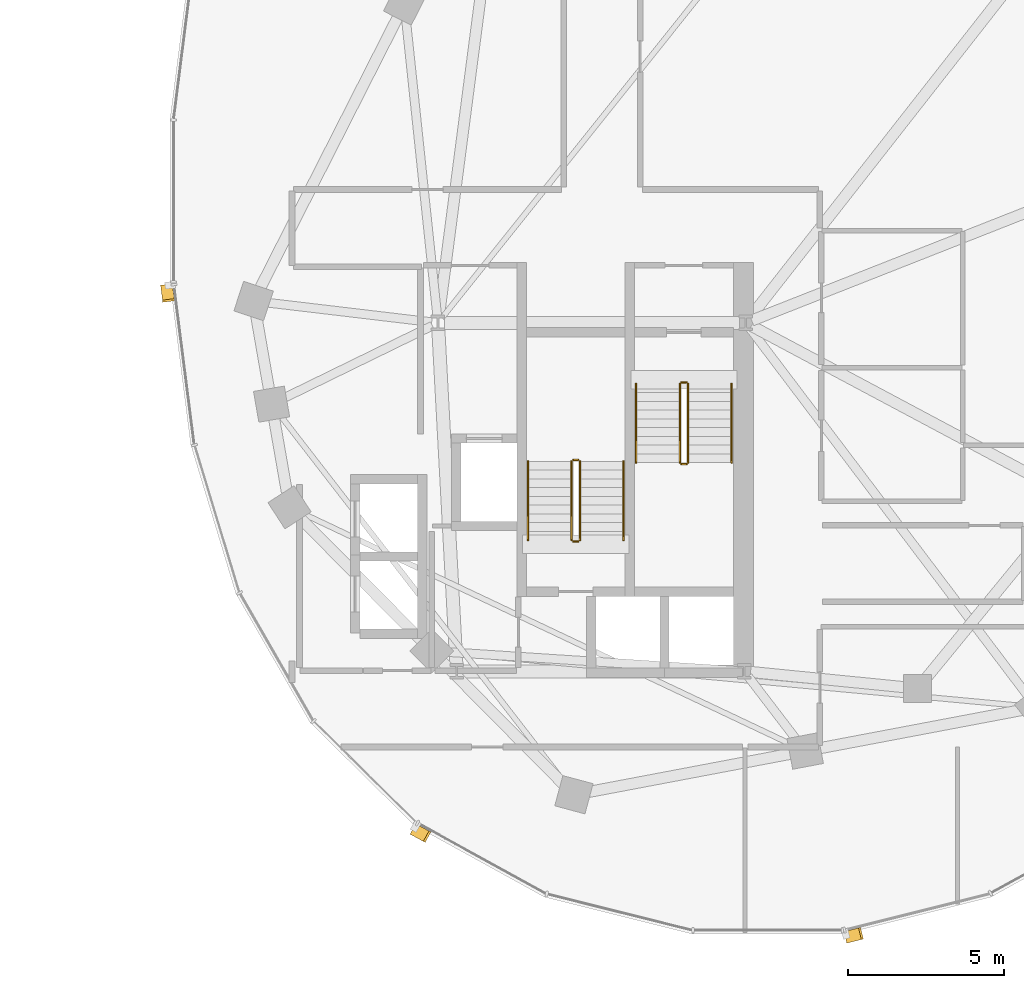
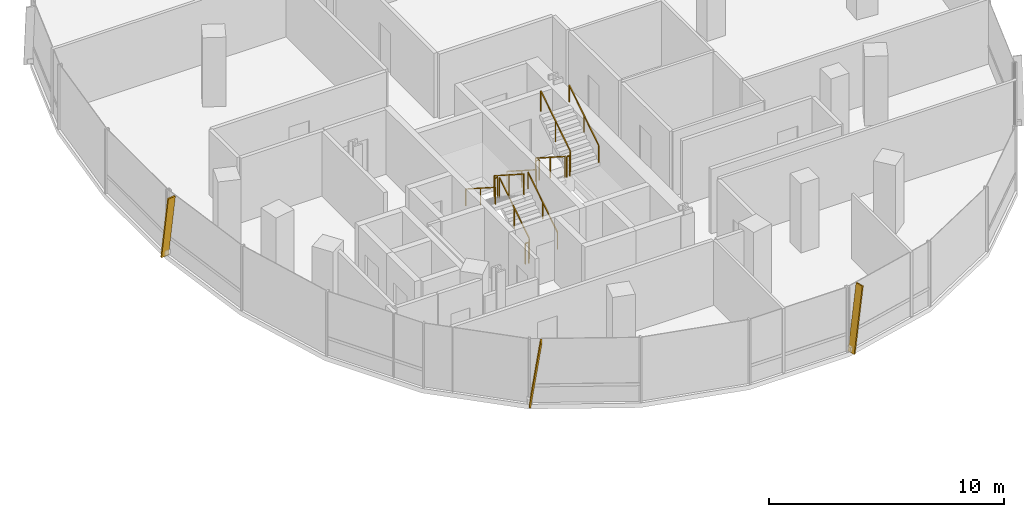
# One storey, part 21 of 22: 12 railings, 3 shading devices.
"""IFC4 building model written with IfcOpenShell, lengths in metres."""

from ifc_helpers import new_model, si_unit, direction, frame, origin, origin_2d, place, context, subcontext, project, spatial, rectangle, extrude, material, material_profile, profile_set, type_object, element, save


model = new_model("IFC4")

# Units and contexts
model_context = context("Model", 3, precision=1e-05, world=origin(), true_north=direction((0.0, 1.0)))
body_context = subcontext(model_context, "Body", "Model", "MODEL_VIEW")
ifc_project = project(units=[si_unit("LENGTHUNIT", "METRE"), si_unit("AREAUNIT", "SQUARE_METRE"), si_unit("VOLUMEUNIT", "CUBIC_METRE"), si_unit("PLANEANGLEUNIT", "RADIAN"), si_unit("MASSUNIT", "GRAM", prefix="KILO"), si_unit("THERMODYNAMICTEMPERATUREUNIT", "KELVIN"), si_unit("POWERUNIT", "WATT")], contexts=[model_context])

# Site, building, storey
site_placement = place(None, origin())
site = spatial("IfcSite", under=ifc_project, at=site_placement, CompositionType="ELEMENT")
building_placement = place(site_placement, origin())
building = spatial("IfcBuilding", under=site, at=building_placement, Name="Cundina Bronze Exchange", CompositionType="ELEMENT")
storey_placement = place(building_placement, frame((0.0, 0.0, 158.39990234375)))
storey = spatial("IfcBuildingStorey", under=building, at=storey_placement, Name="L41", CompositionType="ELEMENT", Elevation=158.39990234375)

# Railings
ifc_material_1 = material(Name="Steel ASTM A36 Painted", Category="steel")
railing_type_1 = type_object("IfcRailingType", Name="RLG-HND-900", PredefinedType="HANDRAIL", material=ifc_material_1)
railing_1_placement = place(storey_placement, frame((27.7900390625, -5.85009765625, 0.18017578125)))
element("IfcRailing", 1, at=railing_1_placement, inside=storey, type_object=railing_type_1, Name="L41 ST-E1 stair handrail 1", PredefinedType="HANDRAIL", context=body_context, shape_type="SweptSolid", body=[
    extrude(rectangle(XDim=0.048095703125, YDim=0.048095703125, at=origin_2d()), frame((0.0, 0.0, 0.8759765625), z_axis=(0.0, -0.841199657755, 0.540724639528), x_axis=(1.0, 0.0, 0.0)), (0.0, 0.0, 1.0), 2.995849609375),
    extrude(rectangle(XDim=0.0419921875, YDim=0.0419921875, at=origin_2d()), origin(), (0.0, 0.0, 1.0), 0.851806640625),
    extrude(rectangle(XDim=0.0419921875, YDim=0.0419921875, at=origin_2d()), frame((0.0, -1.260009765625, 0.81005859375)), (0.0, 0.0, 1.0), 0.851806640625),
    extrude(rectangle(XDim=0.0419921875, YDim=0.0419921875, at=origin_2d()), frame((0.0, -2.52001953125, 1.619873046875)), (0.0, 0.0, 1.0), 0.851806640625),
])
railing_2_placement = place(storey_placement, frame((30.85009765625, -8.3701171875, 1.97998046875)))
element("IfcRailing", 2, at=railing_2_placement, inside=storey, type_object=railing_type_1, Name="L41 ST-E1 stair handrail 2", PredefinedType="HANDRAIL", context=body_context, shape_type="SweptSolid", body=[
    extrude(rectangle(XDim=0.048095703125, YDim=0.048095703125, at=origin_2d()), frame((0.0, 0.0, 0.8759765625), z_axis=(0.0, 0.841162588446, 0.540782303519), x_axis=(-1.0, 0.0, 0.0)), (0.0, 0.0, 1.0), 2.995849609375),
    extrude(rectangle(XDim=0.0419921875, YDim=0.0419921875, at=origin_2d()), origin(), (0.0, 0.0, 1.0), 0.851806640625),
    extrude(rectangle(XDim=0.0419921875, YDim=0.0419921875, at=origin_2d()), frame((0.0, 1.260009765625, 0.81005859375)), (0.0, 0.0, 1.0), 0.851806640625),
    extrude(rectangle(XDim=0.0419921875, YDim=0.0419921875, at=origin_2d()), frame((0.0, 2.52001953125, 1.6201171875)), (0.0, 0.0, 1.0), 0.851806640625),
])
railing_3_placement = place(storey_placement, frame((27.389892578125, -10.85009765625, 0.18017578125)))
element("IfcRailing", 3, at=railing_3_placement, inside=storey, type_object=railing_type_1, Name="L41 ST-E2 stair handrail 1", PredefinedType="HANDRAIL", context=body_context, shape_type="SweptSolid", body=[
    extrude(rectangle(XDim=0.048095703125, YDim=0.048095703125, at=origin_2d()), frame((0.0, 0.0, 0.8759765625), z_axis=(0.0, 0.841199657755, 0.540724639528), x_axis=(-1.0, 0.0, 0.0)), (0.0, 0.0, 1.0), 2.995849609375),
    extrude(rectangle(XDim=0.0419921875, YDim=0.0419921875, at=origin_2d()), origin(), (0.0, 0.0, 1.0), 0.851806640625),
    extrude(rectangle(XDim=0.0419921875, YDim=0.0419921875, at=origin_2d()), frame((0.0, 1.260009765625, 0.81005859375)), (0.0, 0.0, 1.0), 0.851806640625),
    extrude(rectangle(XDim=0.0419921875, YDim=0.0419921875, at=origin_2d()), frame((0.0, 2.52001953125, 1.619873046875)), (0.0, 0.0, 1.0), 0.851806640625),
])
railing_4_placement = place(storey_placement, frame((24.330078125, -8.330078125, 1.97998046875)))
element("IfcRailing", 4, at=railing_4_placement, inside=storey, type_object=railing_type_1, Name="L41 ST-E2 stair handrail 2", PredefinedType="HANDRAIL", context=body_context, shape_type="SweptSolid", body=[
    extrude(rectangle(XDim=0.048095703125, YDim=0.048095703125, at=origin_2d()), frame((0.0, 0.0, 0.8759765625), z_axis=(0.0, -0.841162588446, 0.540782303519), x_axis=(1.0, 0.0, 0.0)), (0.0, 0.0, 1.0), 2.995849609375),
    extrude(rectangle(XDim=0.0419921875, YDim=0.0419921875, at=origin_2d()), origin(), (0.0, 0.0, 1.0), 0.851806640625),
    extrude(rectangle(XDim=0.0419921875, YDim=0.0419921875, at=origin_2d()), frame((0.0, -1.260009765625, 0.81005859375)), (0.0, 0.0, 1.0), 0.851806640625),
    extrude(rectangle(XDim=0.0419921875, YDim=0.0419921875, at=origin_2d()), frame((0.0, -2.52001953125, 1.6201171875)), (0.0, 0.0, 1.0), 0.851806640625),
])
railing_type_2 = type_object("IfcRailingType", Name="RLG-STG-1100", PredefinedType="GUARDRAIL", material=ifc_material_1)
railing_5_placement = place(storey_placement, frame((29.18994140625, -5.85009765625, 0.18017578125)))
element("IfcRailing", 5, at=railing_5_placement, inside=storey, type_object=railing_type_2, Name="L41 ST-E1 stair guard 1", PredefinedType="GUARDRAIL", context=body_context, shape_type="SweptSolid", body=[
    extrude(rectangle(XDim=0.048095703125, YDim=0.048095703125, at=origin_2d()), frame((0.0, 0.0, 1.076171875), z_axis=(0.0, -0.841199657755, 0.540724639528), x_axis=(1.0, 0.0, 0.0)), (0.0, 0.0, 1.0), 2.995849609375),
    extrude(rectangle(XDim=0.0419921875, YDim=0.0419921875, at=origin_2d()), origin(), (0.0, 0.0, 1.0), 1.052001953125),
    extrude(rectangle(XDim=0.0419921875, YDim=0.0419921875, at=origin_2d()), frame((0.0, -1.260009765625, 0.81005859375)), (0.0, 0.0, 1.0), 1.052001953125),
    extrude(rectangle(XDim=0.0419921875, YDim=0.0419921875, at=origin_2d()), frame((0.0, -2.52001953125, 1.619873046875)), (0.0, 0.0, 1.0), 1.052001953125),
])
railing_6_placement = place(storey_placement, frame((29.239990234375, -8.419921875, 1.800048828125)))
element("IfcRailing", 6, at=railing_6_placement, inside=storey, type_object=railing_type_2, Name="L41 ST-E1 stair guard 2", PredefinedType="GUARDRAIL", context=body_context, shape_type="SweptSolid", body=[
    extrude(rectangle(XDim=0.048095703125, YDim=0.048095703125, at=origin_2d()), frame((0.0, 0.0, 1.076171875), z_axis=(1.0, 0.0, 0.0), x_axis=(0.0, 1.0, 0.0)), (0.0, 0.0, 1.0), 0.159912109375),
    extrude(rectangle(XDim=0.0419921875, YDim=0.0419921875, at=origin_2d()), origin(), (0.0, 0.0, 1.0), 1.052001953125),
    extrude(rectangle(XDim=0.0419921875, YDim=0.0419921875, at=origin_2d()), frame((0.159912109375, 0.0, 0.0)), (0.0, 0.0, 1.0), 1.052001953125),
])
railing_7_placement = place(storey_placement, frame((29.449951171875, -8.3701171875, 1.97998046875)))
element("IfcRailing", 7, at=railing_7_placement, inside=storey, type_object=railing_type_2, Name="L41 ST-E1 stair guard 3", PredefinedType="GUARDRAIL", context=body_context, shape_type="SweptSolid", body=[
    extrude(rectangle(XDim=0.048095703125, YDim=0.048095703125, at=origin_2d()), frame((0.0, 0.0, 1.076171875), z_axis=(0.0, 0.841162588446, 0.540782303519), x_axis=(-1.0, 0.0, 0.0)), (0.0, 0.0, 1.0), 2.995849609375),
    extrude(rectangle(XDim=0.0419921875, YDim=0.0419921875, at=origin_2d()), origin(), (0.0, 0.0, 1.0), 1.052001953125),
    extrude(rectangle(XDim=0.0419921875, YDim=0.0419921875, at=origin_2d()), frame((0.0, 1.260009765625, 0.81005859375)), (0.0, 0.0, 1.0), 1.052001953125),
    extrude(rectangle(XDim=0.0419921875, YDim=0.0419921875, at=origin_2d()), frame((0.0, 2.52001953125, 1.6201171875)), (0.0, 0.0, 1.0), 1.052001953125),
])
railing_8_placement = place(storey_placement, frame((29.239990234375, -5.800048828125, 0.0)))
element("IfcRailing", 8, at=railing_8_placement, inside=storey, type_object=railing_type_2, Name="L41 ST-E1 stair guard 4", PredefinedType="GUARDRAIL", context=body_context, shape_type="SweptSolid", body=[
    extrude(rectangle(XDim=0.048095703125, YDim=0.048095703125, at=origin_2d()), frame((0.0, 0.0, 1.076171875), z_axis=(1.0, 0.0, 0.0), x_axis=(0.0, 1.0, 0.0)), (0.0, 0.0, 1.0), 0.159912109375),
    extrude(rectangle(XDim=0.0419921875, YDim=0.0419921875, at=origin_2d()), origin(), (0.0, 0.0, 1.0), 1.052001953125),
    extrude(rectangle(XDim=0.0419921875, YDim=0.0419921875, at=origin_2d()), frame((0.159912109375, 0.0, 0.0)), (0.0, 0.0, 1.0), 1.052001953125),
])
railing_9_placement = place(storey_placement, frame((25.989990234375, -10.85009765625, 0.18017578125)))
element("IfcRailing", 9, at=railing_9_placement, inside=storey, type_object=railing_type_2, Name="L41 ST-E2 stair guard 1", PredefinedType="GUARDRAIL", context=body_context, shape_type="SweptSolid", body=[
    extrude(rectangle(XDim=0.048095703125, YDim=0.048095703125, at=origin_2d()), frame((0.0, 0.0, 1.076171875), z_axis=(0.0, 0.841199657755, 0.540724639528), x_axis=(-1.0, 0.0, 0.0)), (0.0, 0.0, 1.0), 2.995849609375),
    extrude(rectangle(XDim=0.0419921875, YDim=0.0419921875, at=origin_2d()), origin(), (0.0, 0.0, 1.0), 1.052001953125),
    extrude(rectangle(XDim=0.0419921875, YDim=0.0419921875, at=origin_2d()), frame((0.0, 1.260009765625, 0.81005859375)), (0.0, 0.0, 1.0), 1.052001953125),
    extrude(rectangle(XDim=0.0419921875, YDim=0.0419921875, at=origin_2d()), frame((0.0, 2.52001953125, 1.619873046875)), (0.0, 0.0, 1.0), 1.052001953125),
])
railing_10_placement = place(storey_placement, frame((25.93994140625, -8.280029296875, 1.800048828125)))
element("IfcRailing", 10, at=railing_10_placement, inside=storey, type_object=railing_type_2, Name="L41 ST-E2 stair guard 2", PredefinedType="GUARDRAIL", context=body_context, shape_type="SweptSolid", body=[
    extrude(rectangle(XDim=0.048095703125, YDim=0.048095703125, at=origin_2d()), frame((0.0, 0.0, 1.076171875), z_axis=(-1.0, 0.0, 0.0), x_axis=(0.0, -1.0, 0.0)), (0.0, 0.0, 1.0), 0.159912109375),
    extrude(rectangle(XDim=0.0419921875, YDim=0.0419921875, at=origin_2d()), origin(), (0.0, 0.0, 1.0), 1.052001953125),
    extrude(rectangle(XDim=0.0419921875, YDim=0.0419921875, at=origin_2d()), frame((-0.159912109375, 0.0, 0.0)), (0.0, 0.0, 1.0), 1.052001953125),
])
railing_11_placement = place(storey_placement, frame((25.72998046875, -8.330078125, 1.97998046875)))
element("IfcRailing", 11, at=railing_11_placement, inside=storey, type_object=railing_type_2, Name="L41 ST-E2 stair guard 3", PredefinedType="GUARDRAIL", context=body_context, shape_type="SweptSolid", body=[
    extrude(rectangle(XDim=0.048095703125, YDim=0.048095703125, at=origin_2d()), frame((0.0, 0.0, 1.076171875), z_axis=(0.0, -0.841162588446, 0.540782303519), x_axis=(1.0, 0.0, 0.0)), (0.0, 0.0, 1.0), 2.995849609375),
    extrude(rectangle(XDim=0.0419921875, YDim=0.0419921875, at=origin_2d()), origin(), (0.0, 0.0, 1.0), 1.052001953125),
    extrude(rectangle(XDim=0.0419921875, YDim=0.0419921875, at=origin_2d()), frame((0.0, -1.260009765625, 0.81005859375)), (0.0, 0.0, 1.0), 1.052001953125),
    extrude(rectangle(XDim=0.0419921875, YDim=0.0419921875, at=origin_2d()), frame((0.0, -2.52001953125, 1.6201171875)), (0.0, 0.0, 1.0), 1.052001953125),
])
railing_12_placement = place(storey_placement, frame((25.93994140625, -10.89990234375, 0.0)))
element("IfcRailing", 12, at=railing_12_placement, inside=storey, type_object=railing_type_2, Name="L41 ST-E2 stair guard 4", PredefinedType="GUARDRAIL", context=body_context, shape_type="SweptSolid", body=[
    extrude(rectangle(XDim=0.048095703125, YDim=0.048095703125, at=origin_2d()), frame((0.0, 0.0, 1.076171875), z_axis=(-1.0, 0.0, 0.0), x_axis=(0.0, -1.0, 0.0)), (0.0, 0.0, 1.0), 0.159912109375),
    extrude(rectangle(XDim=0.0419921875, YDim=0.0419921875, at=origin_2d()), origin(), (0.0, 0.0, 1.0), 1.052001953125),
    extrude(rectangle(XDim=0.0419921875, YDim=0.0419921875, at=origin_2d()), frame((-0.159912109375, 0.0, 0.0)), (0.0, 0.0, 1.0), 1.052001953125),
])

# Shading devices
ifc_material_2 = material(Name="Anodised Bronze Aluminium 6063-T6", Category="aluminium")
ifc_material_profile = material_profile(ifc_material_2, rectangle(XDim=0.070068359375, YDim=0.3798828125, at=origin_2d()), Name="FIN70X380", Category="aluminium")
ifc_profile_set = profile_set([ifc_material_profile], Name="Anodised Bronze Aluminium 6063-T6")
shading_device_type = type_object("IfcShadingDeviceType", Name="SHD-FIN-BRZ380", PredefinedType="USERDEFINED", material=ifc_profile_set)
for number, where, z_axis, x_axis, name in (
    (13, (12.76513671875, -2.705810546875, 0.02001953125), (0.018121805099, -0.141917750773, 0.989712560391), (-0.125360789044, 0.981741119016, 0.143070080046), "L41 Diagonal Bronze Solar Fin 1"),
    (14, (20.679931640625, -20.11181640625, 0.02001953125), (0.125324460949, -0.068993954111, 0.989713905017), (-0.867011652888, 0.477309551067, 0.143060778049), "L41 Diagonal Bronze Solar Fin 5"),
    (15, (34.51953125, -23.556396484375, 0.02001953125), (0.138788401144, 0.034715294885, 0.989713407007), (-0.960133415413, -0.240159223467, 0.14306422331), "L41 Diagonal Bronze Solar Fin 1"),
):
    element("IfcShadingDevice", number, at=place(storey_placement, frame(where, z_axis=z_axis, x_axis=x_axis)), inside=storey, type_object=shading_device_type, Name=name, ObjectType="FIN", PredefinedType="USERDEFINED", context=body_context, shape_type="SweptSolid", body=[
        extrude(rectangle(XDim=0.070068359375, YDim=0.3798828125, at=origin_2d()), origin(), (0.0, 0.0, 1.0), 3.3544921875),
    ])

save(model, "model.ifc")
